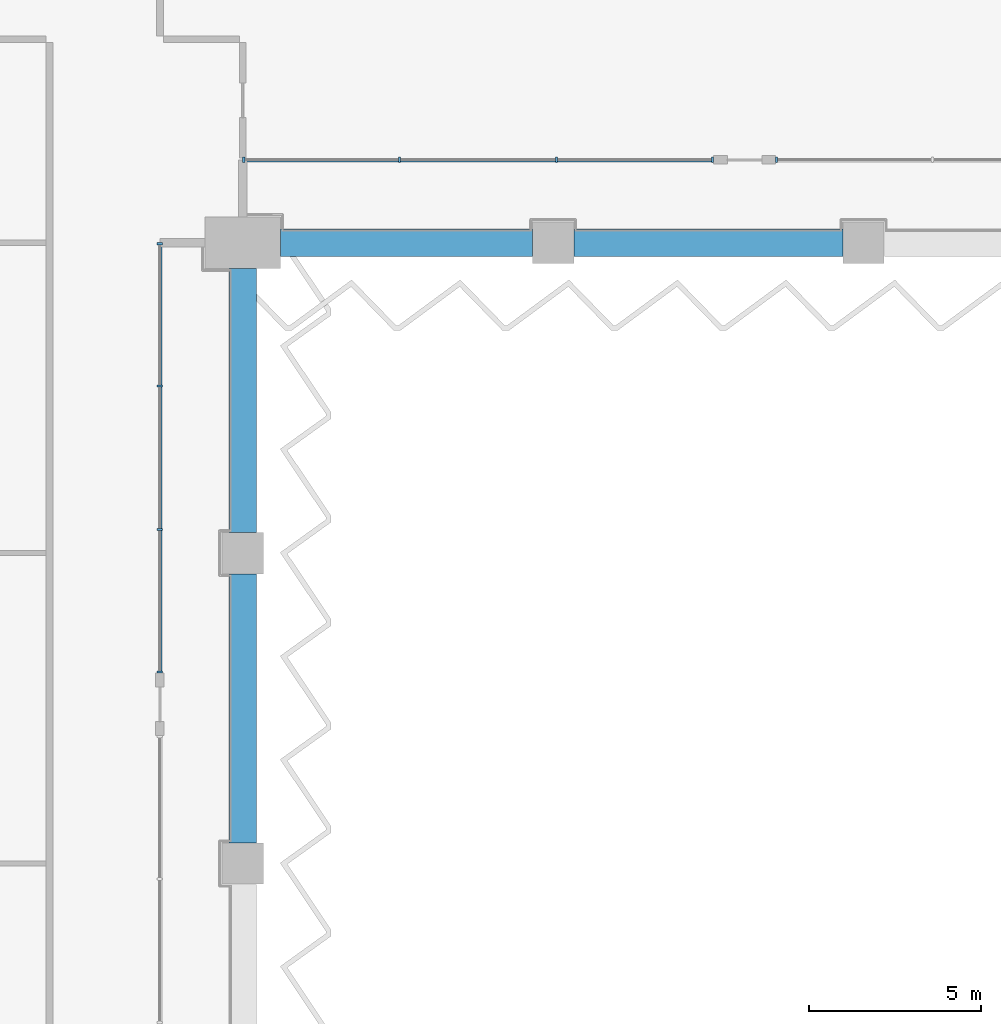
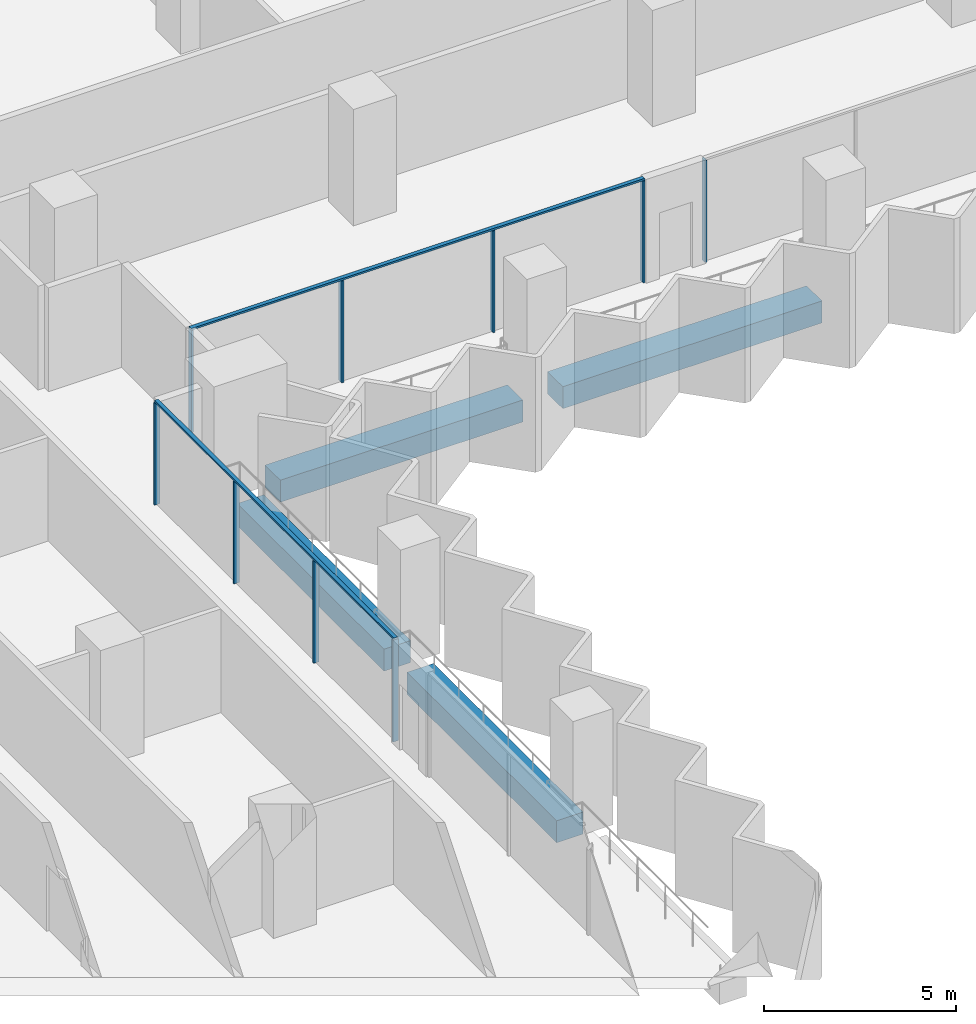
# One storey, part 4 of 23: 11 members, 4 beams, 3 elements without a shape of their own.
"""IFC4 building model written with IfcOpenShell, lengths in metres."""

from ifc_helpers import new_model, si_unit, direction, frame, origin, origin_2d, place, context, subcontext, project, spatial, rectangle, extrude, material, material_profile, profile_set, type_object, element, aggregate, save


model = new_model("IFC4")

# Units and contexts
model_context = context("Model", 3, precision=1e-05, world=origin(), true_north=direction((0.0, 1.0)))
body_context = subcontext(model_context, "Body", "Model", "MODEL_VIEW")
ifc_project = project(units=[si_unit("LENGTHUNIT", "METRE"), si_unit("AREAUNIT", "SQUARE_METRE"), si_unit("VOLUMEUNIT", "CUBIC_METRE"), si_unit("PLANEANGLEUNIT", "RADIAN"), si_unit("MASSUNIT", "GRAM", prefix="KILO")], contexts=[model_context])

# Site, building, storey
site_placement = place(None, origin())
site = spatial("IfcSite", under=ifc_project, at=site_placement, CompositionType="ELEMENT")
building_placement = place(site_placement, origin())
building = spatial("IfcBuilding", under=site, at=building_placement, Name="Hunhe Ridgeline Campus", CompositionType="ELEMENT")
storey_placement = place(building_placement, frame((0.0, 0.0, 121.800048828125)))
storey = spatial("IfcBuildingStorey", under=building, at=storey_placement, Name="L30", CompositionType="ELEMENT", Elevation=121.800048828125)

# Curtain wall, members
ifc_material_1 = material(Name="Aluminium 6063", Category="aluminium")
curtain_wall_type = type_object("IfcCurtainWallType", Name="Curtain wall CW-1", PredefinedType="NOTDEFINED", material=ifc_material_1)
curtain_wall_1_placement = place(storey_placement, origin())
curtain_wall_1 = element("IfcCurtainWall", 1, at=curtain_wall_1_placement, inside=storey, type_object=curtain_wall_type, Name="Curtain wall 12", PredefinedType="NOTDEFINED")
ifc_material_profile_1 = material_profile(ifc_material_1, rectangle(XDim=0.159912109375, YDim=0.06005859375, at=origin_2d()))
ifc_profile_set_1 = profile_set([ifc_material_profile_1], Name="Aluminium 6063")
member_type_1 = type_object("IfcMemberType", Name="CW-1 aluminium mullion", PredefinedType="MULLION", material=ifc_profile_set_1)
member_1_placement = place(storey_placement, frame((42.59912109375, 41.548583984375, 0.0), z_axis=(0.0, 0.0, 1.0), x_axis=(-0.99999999994, 1.0975712e-05, 0.0)))
member_1 = element("IfcMember", 2, at=member_1_placement, type_object=member_type_1, Name="CW-1 mullion 1", PredefinedType="MULLION", context=body_context, shape_type="SweptSolid", body=[
    extrude(rectangle(XDim=0.159912109375, YDim=0.06005859375, at=origin_2d()), origin(), (0.0, 0.0, 1.0), 3.239990234375),
])
member_2_placement = place(storey_placement, frame((42.59912109375, 45.67919921875, 0.0), z_axis=(0.0, 0.0, 1.0), x_axis=(-0.99999999994, 1.0975712e-05, 0.0)))
member_2 = element("IfcMember", 3, at=member_2_placement, type_object=member_type_1, Name="CW-1 mullion 2", PredefinedType="MULLION", context=body_context, shape_type="SweptSolid", body=[
    extrude(rectangle(XDim=0.159912109375, YDim=0.06005859375, at=origin_2d()), origin(), (0.0, 0.0, 1.0), 3.239990234375),
])
member_3_placement = place(storey_placement, frame((42.599365234375, 49.840087890625, 0.0), z_axis=(0.0, 0.0, 1.0), x_axis=(-0.99999999994, 1.0975712e-05, 0.0)))
member_3 = element("IfcMember", 4, at=member_3_placement, type_object=member_type_1, Name="CW-1 mullion 3", PredefinedType="MULLION", context=body_context, shape_type="SweptSolid", body=[
    extrude(rectangle(XDim=0.159912109375, YDim=0.06005859375, at=origin_2d()), origin(), (0.0, 0.0, 1.0), 3.239990234375),
])
member_4_placement = place(storey_placement, frame((42.599365234375, 53.970703125, 0.0), z_axis=(0.0, 0.0, 1.0), x_axis=(-0.99999999994, 1.0975712e-05, 0.0)))
member_4 = element("IfcMember", 5, at=member_4_placement, type_object=member_type_1, Name="CW-1 mullion 4", PredefinedType="MULLION", context=body_context, shape_type="SweptSolid", body=[
    extrude(rectangle(XDim=0.159912109375, YDim=0.06005859375, at=origin_2d()), origin(), (0.0, 0.0, 1.0), 3.239990234375),
])

curtain_wall_2_placement = place(storey_placement, origin())
curtain_wall_2 = element("IfcCurtainWall", 6, at=curtain_wall_2_placement, inside=storey, type_object=curtain_wall_type, Name="Curtain wall 13", PredefinedType="NOTDEFINED")
member_5_placement = place(storey_placement, frame((45.02978515625, 56.40087890625, 0.0), z_axis=(0.0, 0.0, 1.0), x_axis=(-1.4652e-07, 1.0, 0.0)))
member_5 = element("IfcMember", 7, at=member_5_placement, type_object=member_type_1, Name="CW-1 mullion 1", PredefinedType="MULLION", context=body_context, shape_type="SweptSolid", body=[
    extrude(rectangle(XDim=0.159912109375, YDim=0.06005859375, at=origin_2d()), origin(), (0.0, 0.0, 1.0), 3.239990234375),
])
member_6_placement = place(storey_placement, frame((49.5498046875, 56.40087890625, 0.0), z_axis=(0.0, 0.0, 1.0), x_axis=(-1.4652e-07, 1.0, 0.0)))
member_6 = element("IfcMember", 8, at=member_6_placement, type_object=member_type_1, Name="CW-1 mullion 2", PredefinedType="MULLION", context=body_context, shape_type="SweptSolid", body=[
    extrude(rectangle(XDim=0.159912109375, YDim=0.06005859375, at=origin_2d()), origin(), (0.0, 0.0, 1.0), 3.239990234375),
])
member_7_placement = place(storey_placement, frame((54.099609375, 56.40087890625, 0.0), z_axis=(0.0, 0.0, 1.0), x_axis=(-1.4652e-07, 1.0, 0.0)))
member_7 = element("IfcMember", 9, at=member_7_placement, type_object=member_type_1, Name="CW-1 mullion 3", PredefinedType="MULLION", context=body_context, shape_type="SweptSolid", body=[
    extrude(rectangle(XDim=0.159912109375, YDim=0.06005859375, at=origin_2d()), origin(), (0.0, 0.0, 1.0), 3.239990234375),
])
member_8_placement = place(storey_placement, frame((58.619384765625, 56.40087890625, 0.0), z_axis=(0.0, 0.0, 1.0), x_axis=(-1.4652e-07, 1.0, 0.0)))
member_8 = element("IfcMember", 10, at=member_8_placement, type_object=member_type_1, Name="CW-1 mullion 4", PredefinedType="MULLION", context=body_context, shape_type="SweptSolid", body=[
    extrude(rectangle(XDim=0.159912109375, YDim=0.06005859375, at=origin_2d()), origin(), (0.0, 0.0, 1.0), 3.239990234375),
])

# Curtain wall, member
curtain_wall_3_placement = place(storey_placement, origin())
curtain_wall_3 = element("IfcCurtainWall", 11, at=curtain_wall_3_placement, inside=storey, type_object=curtain_wall_type, Name="Curtain wall 14", PredefinedType="NOTDEFINED")
member_9_placement = place(storey_placement, frame((60.4794921875, 56.40087890625, 0.0), z_axis=(0.0, 0.0, 1.0), x_axis=(-1.4652e-07, 1.0, 0.0)))
member_9 = element("IfcMember", 12, at=member_9_placement, type_object=member_type_1, Name="CW-1 mullion 1", PredefinedType="MULLION", context=body_context, shape_type="SweptSolid", body=[
    extrude(rectangle(XDim=0.159912109375, YDim=0.06005859375, at=origin_2d()), origin(), (0.0, 0.0, 1.0), 3.239990234375),
])
aggregate(curtain_wall_3, [member_9])

# Member
ifc_material_profile_2 = material_profile(ifc_material_1, rectangle(XDim=0.1201171875, YDim=0.06005859375, at=origin_2d()))
ifc_profile_set_2 = profile_set([ifc_material_profile_2], Name="Aluminium 6063")
member_type_2 = type_object("IfcMemberType", Name="CW-1 aluminium transom", PredefinedType="USERDEFINED", material=ifc_profile_set_2)
member_10_placement = place(storey_placement, frame((42.59912109375, 41.5185546875, 3.27001953125), z_axis=(1.9559137e-05, 0.999999999809, 0.0), x_axis=(-0.999999999809, 1.9559137e-05, 0.0)))
member_10 = element("IfcMember", 13, at=member_10_placement, type_object=member_type_2, Name="CW-1 transom 1", ObjectType="TRANSOM", PredefinedType="USERDEFINED", context=body_context, shape_type="SweptSolid", body=[
    extrude(rectangle(XDim=0.1201171875, YDim=0.06005859375, at=origin_2d()), origin(), (0.0, 0.0, 1.0), 12.482177734375),
])

aggregate(curtain_wall_1, [member_10, member_1, member_2, member_3, member_4])

member_11_placement = place(storey_placement, frame((45.0, 56.40087890625, 3.27001953125), z_axis=(1.0, 0.0, 0.0), x_axis=(0.0, 1.0, 0.0)))
member_11 = element("IfcMember", 14, at=member_11_placement, type_object=member_type_2, Name="CW-1 transom 1", ObjectType="TRANSOM", PredefinedType="USERDEFINED", context=body_context, shape_type="SweptSolid", body=[
    extrude(rectangle(XDim=0.1201171875, YDim=0.06005859375, at=origin_2d()), origin(), (0.0, 0.0, 1.0), 13.6494140625),
])

aggregate(curtain_wall_2, [member_11, member_5, member_6, member_7, member_8])

# Beams
ifc_material_2 = material(Name="Concrete C60", Category="concrete")
ifc_material_profile_3 = material_profile(ifc_material_2, rectangle(XDim=0.800048828125, YDim=0.699951171875, at=origin_2d()))
ifc_profile_set_3 = profile_set([ifc_material_profile_3], Name="Concrete C60")
beam_type = type_object("IfcBeamType", Name="RC spandrel beam 800x700 Concrete C60", PredefinedType="SPANDREL", material=ifc_profile_set_3)
beam_1_placement = place(storey_placement, frame((45.0, 36.60009765625, -0.60009765625), z_axis=(0.0, 1.0, 0.0), x_axis=(-1.0, 0.0, 0.0)))
element("IfcBeam", 15, at=beam_1_placement, inside=storey, type_object=beam_type, Name="Spandrel beam B1-10 L30", PredefinedType="SPANDREL", context=body_context, shape_type="SweptSolid", body=[
    extrude(rectangle(XDim=0.800048828125, YDim=0.699951171875, at=origin_2d()), origin(), (0.0, 0.0, 1.0), 7.7998046875),
])
beam_2_placement = place(storey_placement, frame((45.0, 45.60009765625, -0.60009765625), z_axis=(0.0, 1.0, 0.0), x_axis=(-1.0, 0.0, 0.0)))
element("IfcBeam", 16, at=beam_2_placement, inside=storey, type_object=beam_type, Name="Spandrel beam B1-11 L30", PredefinedType="SPANDREL", context=body_context, shape_type="SweptSolid", body=[
    extrude(rectangle(XDim=0.800048828125, YDim=0.699951171875, at=origin_2d()), origin(), (0.0, 0.0, 1.0), 7.64990234375),
])
beam_3_placement = place(storey_placement, frame((46.10009765625, 54.0, -0.60009765625), z_axis=(1.0, 0.0, 0.0), x_axis=(0.0, 1.0, 0.0)))
element("IfcBeam", 17, at=beam_3_placement, inside=storey, type_object=beam_type, Name="Spandrel beam B1-12 L30", PredefinedType="SPANDREL", context=body_context, shape_type="SweptSolid", body=[
    extrude(rectangle(XDim=0.800048828125, YDim=0.699951171875, at=origin_2d()), origin(), (0.0, 0.0, 1.0), 7.2998046875),
])
beam_4_placement = place(storey_placement, frame((54.60009765625, 54.0, -0.60009765625), z_axis=(1.0, 0.0, 0.0), x_axis=(0.0, 1.0, 0.0)))
element("IfcBeam", 18, at=beam_4_placement, inside=storey, type_object=beam_type, Name="Spandrel beam B1-13 L30", PredefinedType="SPANDREL", context=body_context, shape_type="SweptSolid", body=[
    extrude(rectangle(XDim=0.800048828125, YDim=0.699951171875, at=origin_2d()), origin(), (0.0, 0.0, 1.0), 7.7998046875),
])

save(model, "model.ifc")
